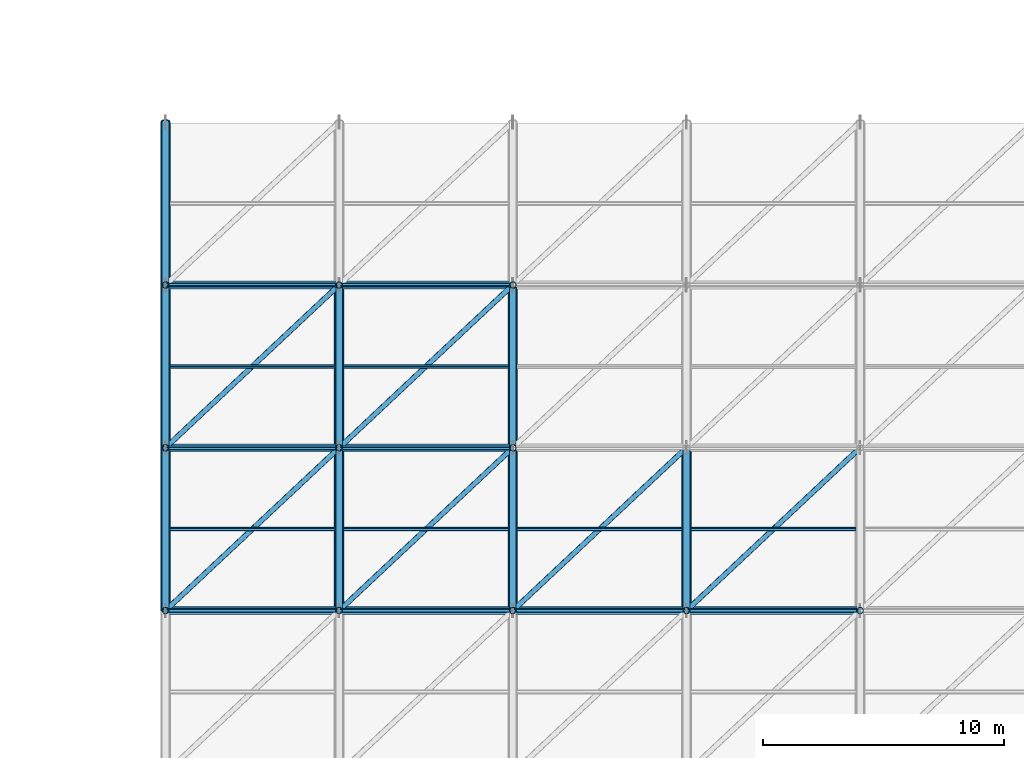
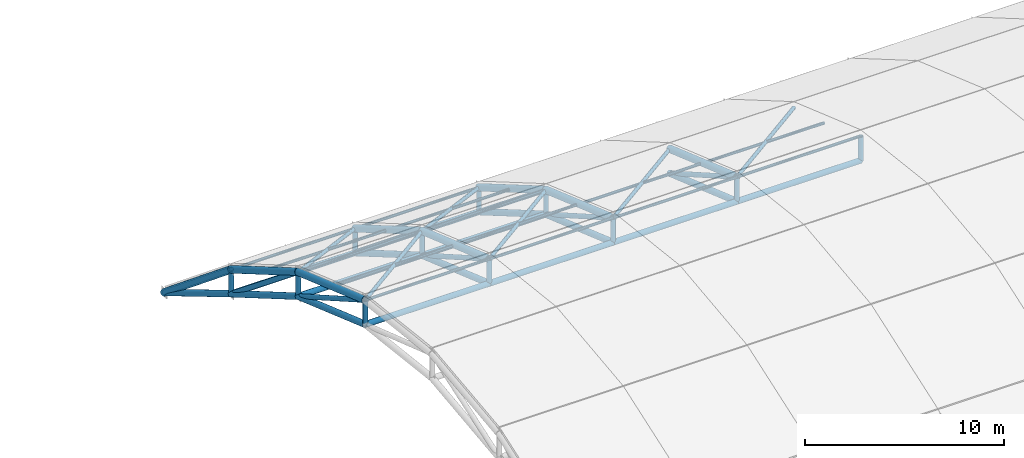
# One storey, part 5 of 72: 55 members, 8 beams.
"""IFC4 building model written with IfcOpenShell, lengths in metres."""

from ifc_helpers import new_model, si_unit, direction, frame, origin, origin_2d, place, context, subcontext, project, spatial, hollow_circle, extrude, material, material_profile, profile_set, type_object, element, save


model = new_model("IFC4")

# Units and contexts
model_context = context("Model", 3, precision=1e-05, world=origin(), true_north=direction((0.0, 1.0)))
body_context = subcontext(model_context, "Body", "Model", "MODEL_VIEW")
ifc_project = project(units=[si_unit("LENGTHUNIT", "METRE"), si_unit("AREAUNIT", "SQUARE_METRE"), si_unit("VOLUMEUNIT", "CUBIC_METRE"), si_unit("PLANEANGLEUNIT", "RADIAN"), si_unit("MASSUNIT", "GRAM", prefix="KILO")], contexts=[model_context])

# Site, building, storey
site_placement = place(None, origin())
site = spatial("IfcSite", under=ifc_project, at=site_placement, CompositionType="ELEMENT")
building_placement = place(site_placement, origin())
building = spatial("IfcBuilding", under=site, at=building_placement, Name="Vaelcorin Mobility Hub", CompositionType="ELEMENT")
storey_placement = place(building_placement, frame((0.0, 0.0, 25.800048828125)))
storey = spatial("IfcBuildingStorey", under=building, at=storey_placement, Name="RF", CompositionType="ELEMENT", Elevation=25.800048828125)

# Members
ifc_material = material(Name="Steel ASTM A500 Grade C", Category="steel")
ifc_material_profile_1 = material_profile(ifc_material, hollow_circle(Radius=0.161865234375, WallThickness=0.0126953125, at=origin_2d()), Name="HSS12.750X0.500")
ifc_profile_set_1 = profile_set([ifc_material_profile_1], Name="Steel ASTM A500 Grade C")
member_type_1 = type_object("IfcMemberType", Name="SF-CHORD-12", PredefinedType="CHORD", material=ifc_profile_set_1)
for number, where, z_axis, x_axis, name in (
    (1, (36.0, 39.75, -9.488037109375), (1.0, 0.0, 0.0), (0.0, 1.0, 0.0), "Space Frame Lower Longitudinal Chord 1-5"),
    (2, (36.0, 46.5, -11.85009765625), (1.0, 0.0, 0.0), (0.0, 1.0, 0.0), "Space Frame Lower Longitudinal Chord 1-6"),
    (3, (36.0, 53.25, -15.7880859375), (1.0, 0.0, 0.0), (0.0, 1.0, 0.0), "Space Frame Lower Longitudinal Chord 1-7"),
    (4, (43.199951171875, 39.75, -9.488037109375), (1.0, 0.0, 0.0), (0.0, 1.0, 0.0), "Space Frame Lower Longitudinal Chord 2-5"),
    (5, (43.199951171875, 46.5, -11.85009765625), (1.0, 0.0, 0.0), (0.0, 1.0, 0.0), "Space Frame Lower Longitudinal Chord 2-6"),
    (6, (43.199951171875, 53.25, -15.7880859375), (1.0, 0.0, 0.0), (0.0, 1.0, 0.0), "Space Frame Lower Longitudinal Chord 2-7"),
):
    element("IfcMember", number, at=place(storey_placement, frame(where, z_axis=z_axis, x_axis=x_axis)), inside=storey, type_object=member_type_1, Name=name, PredefinedType="CHORD", context=body_context, shape_type="SweptSolid", body=[
        extrude(hollow_circle(Radius=0.161865234375, WallThickness=0.0126953125, at=origin_2d()), origin(), (0.0, 0.0, 1.0), 7.199951171875),
    ])
member_1_placement = place(storey_placement, frame((50.39990234375, 39.75, -9.488037109375), z_axis=(1.0, 0.0, 0.0), x_axis=(0.0, 1.0, 0.0)))
element("IfcMember", 7, at=member_1_placement, inside=storey, type_object=member_type_1, Name="Space Frame Lower Longitudinal Chord 3-5", PredefinedType="CHORD", context=body_context, shape_type="SweptSolid", body=[
    extrude(hollow_circle(Radius=0.161865234375, WallThickness=0.0126953125, at=origin_2d()), origin(), (0.0, 0.0, 1.0), 7.2001953125),
])
member_2_placement = place(storey_placement, frame((57.60009765625, 39.75, -9.488037109375), z_axis=(1.0, 0.0, 0.0), x_axis=(0.0, 1.0, 0.0)))
element("IfcMember", 8, at=member_2_placement, inside=storey, type_object=member_type_1, Name="Space Frame Lower Longitudinal Chord 4-5", PredefinedType="CHORD", context=body_context, shape_type="SweptSolid", body=[
    extrude(hollow_circle(Radius=0.161865234375, WallThickness=0.0126953125, at=origin_2d()), origin(), (0.0, 0.0, 1.0), 7.199951171875),
])
ifc_material_profile_2 = material_profile(ifc_material, hollow_circle(Radius=0.177734375, WallThickness=0.0126953125, at=origin_2d()), Name="HSS14.000X0.500")
ifc_profile_set_2 = profile_set([ifc_material_profile_2], Name="Steel ASTM A500 Grade C")
member_type_2 = type_object("IfcMemberType", Name="SF-CHORD-14", PredefinedType="CHORD", material=ifc_profile_set_2)
member_3_placement = place(storey_placement, frame((36.0, 39.75, -9.488037109375), z_axis=(0.0, 0.943877515247, -0.330295679977), x_axis=(-1.0, 0.0, 0.0)))
element("IfcMember", 9, at=member_3_placement, inside=storey, type_object=member_type_2, Name="Space Frame Roof Truss Lower Chord 1-6", PredefinedType="CHORD", context=body_context, shape_type="SweptSolid", body=[
    extrude(hollow_circle(Radius=0.177734375, WallThickness=0.0126953125, at=origin_2d()), origin(), (0.0, 0.0, 1.0), 7.1513671875),
])
member_4_placement = place(storey_placement, frame((36.0, 46.5, -11.85009765625), z_axis=(0.0, 0.863751705385, -0.503917643514), x_axis=(-1.0, 0.0, 0.0)))
element("IfcMember", 10, at=member_4_placement, inside=storey, type_object=member_type_2, Name="Space Frame Roof Truss Lower Chord 1-7", PredefinedType="CHORD", context=body_context, shape_type="SweptSolid", body=[
    extrude(hollow_circle(Radius=0.177734375, WallThickness=0.0126953125, at=origin_2d()), origin(), (0.0, 0.0, 1.0), 7.814697265625),
])
member_5_placement = place(storey_placement, frame((36.0, 53.25, -15.7880859375), z_axis=(0.0, 0.859622623593, -0.510929491229), x_axis=(-1.0, 0.0, 0.0)))
element("IfcMember", 11, at=member_5_placement, inside=storey, type_object=member_type_2, Name="Space Frame Roof Truss Lower Chord 1-8", PredefinedType="CHORD", context=body_context, shape_type="SweptSolid", body=[
    extrude(hollow_circle(Radius=0.177734375, WallThickness=0.0126953125, at=origin_2d()), origin(), (0.0, 0.0, 1.0), 7.852294921875),
])
member_6_placement = place(storey_placement, frame((43.199951171875, 39.75, -9.488037109375), z_axis=(0.0, 0.943877515247, -0.330295679977), x_axis=(-1.0, 0.0, 0.0)))
element("IfcMember", 12, at=member_6_placement, inside=storey, type_object=member_type_2, Name="Space Frame Roof Truss Lower Chord 2-6", PredefinedType="CHORD", context=body_context, shape_type="SweptSolid", body=[
    extrude(hollow_circle(Radius=0.177734375, WallThickness=0.0126953125, at=origin_2d()), origin(), (0.0, 0.0, 1.0), 7.1513671875),
])
member_7_placement = place(storey_placement, frame((43.199951171875, 46.5, -11.85009765625), z_axis=(0.0, 0.863751705385, -0.503917643514), x_axis=(-1.0, 0.0, 0.0)))
element("IfcMember", 13, at=member_7_placement, inside=storey, type_object=member_type_2, Name="Space Frame Roof Truss Lower Chord 2-7", PredefinedType="CHORD", context=body_context, shape_type="SweptSolid", body=[
    extrude(hollow_circle(Radius=0.177734375, WallThickness=0.0126953125, at=origin_2d()), origin(), (0.0, 0.0, 1.0), 7.814697265625),
])
member_8_placement = place(storey_placement, frame((50.39990234375, 39.75, -9.488037109375), z_axis=(0.0, 0.943877515247, -0.330295679977), x_axis=(-1.0, 0.0, 0.0)))
element("IfcMember", 14, at=member_8_placement, inside=storey, type_object=member_type_2, Name="Space Frame Roof Truss Lower Chord 3-6", PredefinedType="CHORD", context=body_context, shape_type="SweptSolid", body=[
    extrude(hollow_circle(Radius=0.177734375, WallThickness=0.0126953125, at=origin_2d()), origin(), (0.0, 0.0, 1.0), 7.1513671875),
])
member_9_placement = place(storey_placement, frame((50.39990234375, 46.5, -11.85009765625), z_axis=(0.0, 0.863751705385, -0.503917643514), x_axis=(-1.0, 0.0, 0.0)))
element("IfcMember", 15, at=member_9_placement, inside=storey, type_object=member_type_2, Name="Space Frame Roof Truss Lower Chord 3-7", PredefinedType="CHORD", context=body_context, shape_type="SweptSolid", body=[
    extrude(hollow_circle(Radius=0.177734375, WallThickness=0.0126953125, at=origin_2d()), origin(), (0.0, 0.0, 1.0), 7.814697265625),
])
member_10_placement = place(storey_placement, frame((57.60009765625, 39.75, -9.488037109375), z_axis=(0.0, 0.943877515247, -0.330295679977), x_axis=(-1.0, 0.0, 0.0)))
element("IfcMember", 16, at=member_10_placement, inside=storey, type_object=member_type_2, Name="Space Frame Roof Truss Lower Chord 4-6", PredefinedType="CHORD", context=body_context, shape_type="SweptSolid", body=[
    extrude(hollow_circle(Radius=0.177734375, WallThickness=0.0126953125, at=origin_2d()), origin(), (0.0, 0.0, 1.0), 7.1513671875),
])
ifc_material_profile_3 = material_profile(ifc_material, hollow_circle(Radius=0.136474609375, WallThickness=0.0126953125, at=origin_2d()), Name="HSS10.750X0.500")
ifc_profile_set_3 = profile_set([ifc_material_profile_3], Name="Steel ASTM A500 Grade C")
member_type_3 = type_object("IfcMemberType", Name="SF-DIAG-10", PredefinedType="BRACE", material=ifc_profile_set_3)
member_11_placement = place(storey_placement, frame((36.0, 39.75, -7.988037109375), z_axis=(0.0, 0.867970611296, -0.496615563516), x_axis=(-1.0, 0.0, 0.0)))
element("IfcMember", 17, at=member_11_placement, inside=storey, type_object=member_type_3, Name="Space Frame Roof Truss Web Diagonal 1-6", PredefinedType="BRACE", context=body_context, shape_type="SweptSolid", body=[
    extrude(hollow_circle(Radius=0.136474609375, WallThickness=0.0126953125, at=origin_2d()), origin(), (0.0, 0.0, 1.0), 7.77685546875),
])
member_12_placement = place(storey_placement, frame((36.0, 46.5, -10.35009765625), z_axis=(0.0, 0.778726388415, -0.627363699926), x_axis=(-1.0, 0.0, 0.0)))
element("IfcMember", 18, at=member_12_placement, inside=storey, type_object=member_type_3, Name="Space Frame Roof Truss Web Diagonal 1-7", PredefinedType="BRACE", context=body_context, shape_type="SweptSolid", body=[
    extrude(hollow_circle(Radius=0.136474609375, WallThickness=0.0126953125, at=origin_2d()), origin(), (0.0, 0.0, 1.0), 8.66796875),
])
member_13_placement = place(storey_placement, frame((36.0, 53.25, -14.2880859375), z_axis=(0.0, 0.774562321982, -0.632497596332), x_axis=(-1.0, 0.0, 0.0)))
element("IfcMember", 19, at=member_13_placement, inside=storey, type_object=member_type_3, Name="Space Frame Roof Truss Web Diagonal 1-8", PredefinedType="BRACE", context=body_context, shape_type="SweptSolid", body=[
    extrude(hollow_circle(Radius=0.136474609375, WallThickness=0.0126953125, at=origin_2d()), origin(), (0.0, 0.0, 1.0), 8.714599609375),
])
member_14_placement = place(storey_placement, frame((43.199951171875, 39.75, -7.988037109375), z_axis=(0.0, 0.867970611296, -0.496615563516), x_axis=(-1.0, 0.0, 0.0)))
element("IfcMember", 20, at=member_14_placement, inside=storey, type_object=member_type_3, Name="Space Frame Roof Truss Web Diagonal 2-6", PredefinedType="BRACE", context=body_context, shape_type="SweptSolid", body=[
    extrude(hollow_circle(Radius=0.136474609375, WallThickness=0.0126953125, at=origin_2d()), origin(), (0.0, 0.0, 1.0), 7.77685546875),
])
member_15_placement = place(storey_placement, frame((43.199951171875, 46.5, -10.35009765625), z_axis=(0.0, 0.778726388415, -0.627363699926), x_axis=(-1.0, 0.0, 0.0)))
element("IfcMember", 21, at=member_15_placement, inside=storey, type_object=member_type_3, Name="Space Frame Roof Truss Web Diagonal 2-7", PredefinedType="BRACE", context=body_context, shape_type="SweptSolid", body=[
    extrude(hollow_circle(Radius=0.136474609375, WallThickness=0.0126953125, at=origin_2d()), origin(), (0.0, 0.0, 1.0), 8.66796875),
])
member_16_placement = place(storey_placement, frame((50.39990234375, 39.75, -7.988037109375), z_axis=(0.0, 0.867970611296, -0.496615563516), x_axis=(-1.0, 0.0, 0.0)))
element("IfcMember", 22, at=member_16_placement, inside=storey, type_object=member_type_3, Name="Space Frame Roof Truss Web Diagonal 3-6", PredefinedType="BRACE", context=body_context, shape_type="SweptSolid", body=[
    extrude(hollow_circle(Radius=0.136474609375, WallThickness=0.0126953125, at=origin_2d()), origin(), (0.0, 0.0, 1.0), 7.77685546875),
])
member_17_placement = place(storey_placement, frame((50.39990234375, 46.5, -10.35009765625), z_axis=(0.0, 0.778726388415, -0.627363699926), x_axis=(-1.0, 0.0, 0.0)))
element("IfcMember", 23, at=member_17_placement, inside=storey, type_object=member_type_3, Name="Space Frame Roof Truss Web Diagonal 3-7", PredefinedType="BRACE", context=body_context, shape_type="SweptSolid", body=[
    extrude(hollow_circle(Radius=0.136474609375, WallThickness=0.0126953125, at=origin_2d()), origin(), (0.0, 0.0, 1.0), 8.66796875),
])
member_18_placement = place(storey_placement, frame((57.60009765625, 39.75, -7.988037109375), z_axis=(0.0, 0.867970611296, -0.496615563516), x_axis=(-1.0, 0.0, 0.0)))
element("IfcMember", 24, at=member_18_placement, inside=storey, type_object=member_type_3, Name="Space Frame Roof Truss Web Diagonal 4-6", PredefinedType="BRACE", context=body_context, shape_type="SweptSolid", body=[
    extrude(hollow_circle(Radius=0.136474609375, WallThickness=0.0126953125, at=origin_2d()), origin(), (0.0, 0.0, 1.0), 7.77685546875),
])
ifc_material_profile_4 = material_profile(ifc_material, hollow_circle(Radius=0.109619140625, WallThickness=0.009521484375, at=origin_2d()), Name="HSS8.625X0.375")
ifc_profile_set_4 = profile_set([ifc_material_profile_4], Name="Steel ASTM A500 Grade C")
member_type_4 = type_object("IfcMemberType", Name="SF-DIAG-8", PredefinedType="BRACE", material=ifc_profile_set_4)
member_19_placement = place(storey_placement, frame((36.0, 39.75, -7.988037109375), z_axis=(0.709497274068, 0.665158205331, -0.232762067295), x_axis=(-0.683943597489, 0.729534889813, 0.0)))
element("IfcMember", 25, at=member_19_placement, inside=storey, type_object=member_type_4, Name="Space Frame Bracing Diagonal 1-6", PredefinedType="BRACE", context=body_context, shape_type="SweptSolid", body=[
    extrude(hollow_circle(Radius=0.109619140625, WallThickness=0.009521484375, at=origin_2d()), origin(), (0.0, 0.0, 1.0), 10.14794921875),
])
member_20_placement = place(storey_placement, frame((36.0, 46.5, -10.35009765625), z_axis=(0.677585674596, 0.635240877937, -0.370603130828), x_axis=(-0.683943597489, 0.729534889813, 0.0)))
element("IfcMember", 26, at=member_20_placement, inside=storey, type_object=member_type_4, Name="Space Frame Bracing Diagonal 1-7", PredefinedType="BRACE", context=body_context, shape_type="SweptSolid", body=[
    extrude(hollow_circle(Radius=0.109619140625, WallThickness=0.009521484375, at=origin_2d()), origin(), (0.0, 0.0, 1.0), 10.6259765625),
])
member_21_placement = place(storey_placement, frame((43.199951171875, 39.75, -7.988037109375), z_axis=(0.709497274068, 0.665158205331, -0.232762067295), x_axis=(-0.683943597489, 0.729534889813, 0.0)))
element("IfcMember", 27, at=member_21_placement, inside=storey, type_object=member_type_4, Name="Space Frame Bracing Diagonal 2-6", PredefinedType="BRACE", context=body_context, shape_type="SweptSolid", body=[
    extrude(hollow_circle(Radius=0.109619140625, WallThickness=0.009521484375, at=origin_2d()), origin(), (0.0, 0.0, 1.0), 10.14794921875),
])
member_22_placement = place(storey_placement, frame((43.199951171875, 46.5, -10.35009765625), z_axis=(0.677585674596, 0.635240877937, -0.370603130828), x_axis=(-0.683943597489, 0.729534889813, 0.0)))
element("IfcMember", 28, at=member_22_placement, inside=storey, type_object=member_type_4, Name="Space Frame Bracing Diagonal 2-7", PredefinedType="BRACE", context=body_context, shape_type="SweptSolid", body=[
    extrude(hollow_circle(Radius=0.109619140625, WallThickness=0.009521484375, at=origin_2d()), origin(), (0.0, 0.0, 1.0), 10.6259765625),
])
member_23_placement = place(storey_placement, frame((50.39990234375, 39.75, -7.988037109375), z_axis=(0.709509221339, 0.665146851742, -0.232758094278), x_axis=(-0.683931254551, 0.729546461199, 0.0)))
element("IfcMember", 29, at=member_23_placement, inside=storey, type_object=member_type_4, Name="Space Frame Bracing Diagonal 3-6", PredefinedType="BRACE", context=body_context, shape_type="SweptSolid", body=[
    extrude(hollow_circle(Radius=0.109619140625, WallThickness=0.009521484375, at=origin_2d()), origin(), (0.0, 0.0, 1.0), 10.148193359375),
])
member_24_placement = place(storey_placement, frame((57.60009765625, 39.75, -7.988037109375), z_axis=(0.709497274068, 0.665158205331, -0.232762067295), x_axis=(-0.683943597489, 0.729534889813, 0.0)))
element("IfcMember", 30, at=member_24_placement, inside=storey, type_object=member_type_4, Name="Space Frame Bracing Diagonal 4-6", PredefinedType="BRACE", context=body_context, shape_type="SweptSolid", body=[
    extrude(hollow_circle(Radius=0.109619140625, WallThickness=0.009521484375, at=origin_2d()), origin(), (0.0, 0.0, 1.0), 10.14794921875),
])
ifc_material_profile_5 = material_profile(ifc_material, hollow_circle(Radius=0.136474609375, WallThickness=0.0126953125, at=origin_2d()), Name="HSS10.750X0.500")
ifc_profile_set_5 = profile_set([ifc_material_profile_5], Name="Steel ASTM A500 Grade C")
member_type_5 = type_object("IfcMemberType", Name="SF-POST-10", PredefinedType="POST", material=ifc_profile_set_5)
for number, where, z_axis, x_axis, name in (
    (31, (36.0, 39.75, -9.488037109375), (0.0, 0.0, 1.0), (1.0, 0.0, 0.0), "Space Frame Roof Truss Post 1-5"),
    (32, (36.0, 46.5, -11.85009765625), (0.0, 0.0, 1.0), (1.0, 0.0, 0.0), "Space Frame Roof Truss Post 1-6"),
    (33, (36.0, 53.25, -15.7880859375), (0.0, 0.0, 1.0), (1.0, 0.0, 0.0), "Space Frame Roof Truss Post 1-7"),
    (34, (43.199951171875, 39.75, -9.488037109375), (0.0, 0.0, 1.0), (1.0, 0.0, 0.0), "Space Frame Roof Truss Post 2-5"),
    (35, (43.199951171875, 46.5, -11.85009765625), (0.0, 0.0, 1.0), (1.0, 0.0, 0.0), "Space Frame Roof Truss Post 2-6"),
    (36, (43.199951171875, 53.25, -15.7880859375), (0.0, 0.0, 1.0), (1.0, 0.0, 0.0), "Space Frame Roof Truss Post 2-7"),
    (37, (50.39990234375, 39.75, -9.488037109375), (0.0, 0.0, 1.0), (1.0, 0.0, 0.0), "Space Frame Roof Truss Post 3-5"),
    (38, (50.39990234375, 46.5, -11.85009765625), (0.0, 0.0, 1.0), (1.0, 0.0, 0.0), "Space Frame Roof Truss Post 3-6"),
    (39, (50.39990234375, 53.25, -15.7880859375), (0.0, 0.0, 1.0), (1.0, 0.0, 0.0), "Space Frame Roof Truss Post 3-7"),
    (40, (57.60009765625, 39.75, -9.488037109375), (0.0, 0.0, 1.0), (1.0, 0.0, 0.0), "Space Frame Roof Truss Post 4-5"),
    (41, (64.800048828125, 39.75, -9.488037109375), (0.0, 0.0, 1.0), (1.0, 0.0, 0.0), "Space Frame Roof Truss Post 5-5"),
):
    element("IfcMember", number, at=place(storey_placement, frame(where, z_axis=z_axis, x_axis=x_axis)), inside=storey, type_object=member_type_5, Name=name, PredefinedType="POST", context=body_context, shape_type="SweptSolid", body=[
        extrude(hollow_circle(Radius=0.136474609375, WallThickness=0.0126953125, at=origin_2d()), origin(), (0.0, 0.0, 1.0), 1.5),
    ])
ifc_material_profile_6 = material_profile(ifc_material, hollow_circle(Radius=0.084228515625, WallThickness=0.0078125, at=origin_2d()), Name="HSS6.625X0.312")
ifc_profile_set_6 = profile_set([ifc_material_profile_6], Name="Steel ASTM A500 Grade C")
member_type_6 = type_object("IfcMemberType", Name="SF-PURL-6", PredefinedType="PURLIN", material=ifc_profile_set_6)
for number, where, z_axis, x_axis, name in (
    (42, (36.0, 39.75, -7.988037109375), (1.0, 0.0, 0.0), (0.0, 1.0, 0.0), "Space Frame Longitudinal Chord 1-5"),
    (43, (36.0, 46.5, -10.35009765625), (1.0, 0.0, 0.0), (0.0, 1.0, 0.0), "Space Frame Longitudinal Chord 1-6"),
    (44, (36.0, 53.25, -14.2880859375), (1.0, 0.0, 0.0), (0.0, 1.0, 0.0), "Space Frame Longitudinal Chord 1-7"),
):
    element("IfcMember", number, at=place(storey_placement, frame(where, z_axis=z_axis, x_axis=x_axis)), inside=storey, type_object=member_type_6, Name=name, PredefinedType="PURLIN", context=body_context, shape_type="SweptSolid", body=[
        extrude(hollow_circle(Radius=0.084228515625, WallThickness=0.0078125, at=origin_2d()), origin(), (0.0, 0.0, 1.0), 7.199951171875),
    ])
for number, where, z_axis, x_axis, name in (
    (45, (36.179931640625, 43.125, -9.1689453125), (1.0, 0.0, 0.0), (0.0, 1.0, 0.0), "Space Frame Secondary Purlin 1-6"),
    (46, (36.179931640625, 49.875, -12.319091796875), (1.0, 0.0, 0.0), (0.0, 1.0, 0.0), "Space Frame Secondary Purlin 1-7"),
):
    element("IfcMember", number, at=place(storey_placement, frame(where, z_axis=z_axis, x_axis=x_axis)), inside=storey, type_object=member_type_6, Name=name, PredefinedType="PURLIN", context=body_context, shape_type="SweptSolid", body=[
        extrude(hollow_circle(Radius=0.084228515625, WallThickness=0.0078125, at=origin_2d()), origin(), (0.0, 0.0, 1.0), 6.840087890625),
    ])
for number, where, z_axis, x_axis, name in (
    (47, (43.199951171875, 39.75, -7.988037109375), (1.0, 0.0, 0.0), (0.0, 1.0, 0.0), "Space Frame Longitudinal Chord 2-5"),
    (48, (43.199951171875, 46.5, -10.35009765625), (1.0, 0.0, 0.0), (0.0, 1.0, 0.0), "Space Frame Longitudinal Chord 2-6"),
    (49, (43.199951171875, 53.25, -14.2880859375), (1.0, 0.0, 0.0), (0.0, 1.0, 0.0), "Space Frame Longitudinal Chord 2-7"),
):
    element("IfcMember", number, at=place(storey_placement, frame(where, z_axis=z_axis, x_axis=x_axis)), inside=storey, type_object=member_type_6, Name=name, PredefinedType="PURLIN", context=body_context, shape_type="SweptSolid", body=[
        extrude(hollow_circle(Radius=0.084228515625, WallThickness=0.0078125, at=origin_2d()), origin(), (0.0, 0.0, 1.0), 7.199951171875),
    ])
for number, where, z_axis, x_axis, name in (
    (50, (43.3798828125, 43.125, -9.1689453125), (1.0, 0.0, 0.0), (0.0, 1.0, 0.0), "Space Frame Secondary Purlin 2-6"),
    (51, (43.3798828125, 49.875, -12.319091796875), (1.0, 0.0, 0.0), (0.0, 1.0, 0.0), "Space Frame Secondary Purlin 2-7"),
):
    element("IfcMember", number, at=place(storey_placement, frame(where, z_axis=z_axis, x_axis=x_axis)), inside=storey, type_object=member_type_6, Name=name, PredefinedType="PURLIN", context=body_context, shape_type="SweptSolid", body=[
        extrude(hollow_circle(Radius=0.084228515625, WallThickness=0.0078125, at=origin_2d()), origin(), (0.0, 0.0, 1.0), 6.840087890625),
    ])
member_25_placement = place(storey_placement, frame((50.39990234375, 39.75, -7.988037109375), z_axis=(1.0, 0.0, 0.0), x_axis=(0.0, 1.0, 0.0)))
element("IfcMember", 52, at=member_25_placement, inside=storey, type_object=member_type_6, Name="Space Frame Longitudinal Chord 3-5", PredefinedType="PURLIN", context=body_context, shape_type="SweptSolid", body=[
    extrude(hollow_circle(Radius=0.084228515625, WallThickness=0.0078125, at=origin_2d()), origin(), (0.0, 0.0, 1.0), 7.2001953125),
])
member_26_placement = place(storey_placement, frame((50.580078125, 43.125, -9.1689453125), z_axis=(1.0, 0.0, 0.0), x_axis=(0.0, 1.0, 0.0)))
element("IfcMember", 53, at=member_26_placement, inside=storey, type_object=member_type_6, Name="Space Frame Secondary Purlin 3-6", PredefinedType="PURLIN", context=body_context, shape_type="SweptSolid", body=[
    extrude(hollow_circle(Radius=0.084228515625, WallThickness=0.0078125, at=origin_2d()), origin(), (0.0, 0.0, 1.0), 6.83984375),
])
member_27_placement = place(storey_placement, frame((57.60009765625, 39.75, -7.988037109375), z_axis=(1.0, 0.0, 0.0), x_axis=(0.0, 1.0, 0.0)))
element("IfcMember", 54, at=member_27_placement, inside=storey, type_object=member_type_6, Name="Space Frame Longitudinal Chord 4-5", PredefinedType="PURLIN", context=body_context, shape_type="SweptSolid", body=[
    extrude(hollow_circle(Radius=0.084228515625, WallThickness=0.0078125, at=origin_2d()), origin(), (0.0, 0.0, 1.0), 7.199951171875),
])
member_28_placement = place(storey_placement, frame((57.780029296875, 43.125, -9.1689453125), z_axis=(1.0, 0.0, 0.0), x_axis=(0.0, 1.0, 0.0)))
element("IfcMember", 55, at=member_28_placement, inside=storey, type_object=member_type_6, Name="Space Frame Secondary Purlin 4-6", PredefinedType="PURLIN", context=body_context, shape_type="SweptSolid", body=[
    extrude(hollow_circle(Radius=0.084228515625, WallThickness=0.0078125, at=origin_2d()), origin(), (0.0, 0.0, 1.0), 6.840087890625),
])

# Beams
ifc_material_profile_7 = material_profile(ifc_material, hollow_circle(Radius=0.203125, WallThickness=0.015869140625, at=origin_2d()), Name="HSS16.000X0.625")
ifc_profile_set_7 = profile_set([ifc_material_profile_7], Name="Steel ASTM A500 Grade C")
beam_type = type_object("IfcBeamType", Name="TR-CHORD-16", PredefinedType="BEAM", material=ifc_profile_set_7)
beam_1_placement = place(storey_placement, frame((36.0, 39.75, -7.988037109375), z_axis=(0.0, 0.943877515247, -0.330295679977), x_axis=(-1.0, 0.0, 0.0)))
element("IfcBeam", 56, at=beam_1_placement, inside=storey, type_object=beam_type, Name="Space Frame Roof Truss Upper Chord 1-6", PredefinedType="BEAM", context=body_context, shape_type="SweptSolid", body=[
    extrude(hollow_circle(Radius=0.203125, WallThickness=0.015869140625, at=origin_2d()), origin(), (0.0, 0.0, 1.0), 7.1513671875),
])
beam_2_placement = place(storey_placement, frame((36.0, 46.5, -10.35009765625), z_axis=(0.0, 0.863751705385, -0.503917643514), x_axis=(-1.0, 0.0, 0.0)))
element("IfcBeam", 57, at=beam_2_placement, inside=storey, type_object=beam_type, Name="Space Frame Roof Truss Upper Chord 1-7", PredefinedType="BEAM", context=body_context, shape_type="SweptSolid", body=[
    extrude(hollow_circle(Radius=0.203125, WallThickness=0.015869140625, at=origin_2d()), origin(), (0.0, 0.0, 1.0), 7.814697265625),
])
beam_3_placement = place(storey_placement, frame((36.0, 53.25, -14.2880859375), z_axis=(0.0, 0.774562321982, -0.632497596332), x_axis=(-1.0, 0.0, 0.0)))
element("IfcBeam", 58, at=beam_3_placement, inside=storey, type_object=beam_type, Name="Space Frame Roof Truss Upper Chord 1-8", PredefinedType="BEAM", context=body_context, shape_type="SweptSolid", body=[
    extrude(hollow_circle(Radius=0.203125, WallThickness=0.015869140625, at=origin_2d()), origin(), (0.0, 0.0, 1.0), 8.714599609375),
])
beam_4_placement = place(storey_placement, frame((43.199951171875, 39.75, -7.988037109375), z_axis=(0.0, 0.943877515247, -0.330295679977), x_axis=(-1.0, 0.0, 0.0)))
element("IfcBeam", 59, at=beam_4_placement, inside=storey, type_object=beam_type, Name="Space Frame Roof Truss Upper Chord 2-6", PredefinedType="BEAM", context=body_context, shape_type="SweptSolid", body=[
    extrude(hollow_circle(Radius=0.203125, WallThickness=0.015869140625, at=origin_2d()), origin(), (0.0, 0.0, 1.0), 7.1513671875),
])
beam_5_placement = place(storey_placement, frame((43.199951171875, 46.5, -10.35009765625), z_axis=(0.0, 0.863751705385, -0.503917643514), x_axis=(-1.0, 0.0, 0.0)))
element("IfcBeam", 60, at=beam_5_placement, inside=storey, type_object=beam_type, Name="Space Frame Roof Truss Upper Chord 2-7", PredefinedType="BEAM", context=body_context, shape_type="SweptSolid", body=[
    extrude(hollow_circle(Radius=0.203125, WallThickness=0.015869140625, at=origin_2d()), origin(), (0.0, 0.0, 1.0), 7.814697265625),
])
beam_6_placement = place(storey_placement, frame((50.39990234375, 39.75, -7.988037109375), z_axis=(0.0, 0.943877515247, -0.330295679977), x_axis=(-1.0, 0.0, 0.0)))
element("IfcBeam", 61, at=beam_6_placement, inside=storey, type_object=beam_type, Name="Space Frame Roof Truss Upper Chord 3-6", PredefinedType="BEAM", context=body_context, shape_type="SweptSolid", body=[
    extrude(hollow_circle(Radius=0.203125, WallThickness=0.015869140625, at=origin_2d()), origin(), (0.0, 0.0, 1.0), 7.1513671875),
])
beam_7_placement = place(storey_placement, frame((50.39990234375, 46.5, -10.35009765625), z_axis=(0.0, 0.863751705385, -0.503917643514), x_axis=(-1.0, 0.0, 0.0)))
element("IfcBeam", 62, at=beam_7_placement, inside=storey, type_object=beam_type, Name="Space Frame Roof Truss Upper Chord 3-7", PredefinedType="BEAM", context=body_context, shape_type="SweptSolid", body=[
    extrude(hollow_circle(Radius=0.203125, WallThickness=0.015869140625, at=origin_2d()), origin(), (0.0, 0.0, 1.0), 7.814697265625),
])
beam_8_placement = place(storey_placement, frame((57.60009765625, 39.75, -7.988037109375), z_axis=(0.0, 0.943877515247, -0.330295679977), x_axis=(-1.0, 0.0, 0.0)))
element("IfcBeam", 63, at=beam_8_placement, inside=storey, type_object=beam_type, Name="Space Frame Roof Truss Upper Chord 4-6", PredefinedType="BEAM", context=body_context, shape_type="SweptSolid", body=[
    extrude(hollow_circle(Radius=0.203125, WallThickness=0.015869140625, at=origin_2d()), origin(), (0.0, 0.0, 1.0), 7.1513671875),
])

save(model, "model.ifc")
